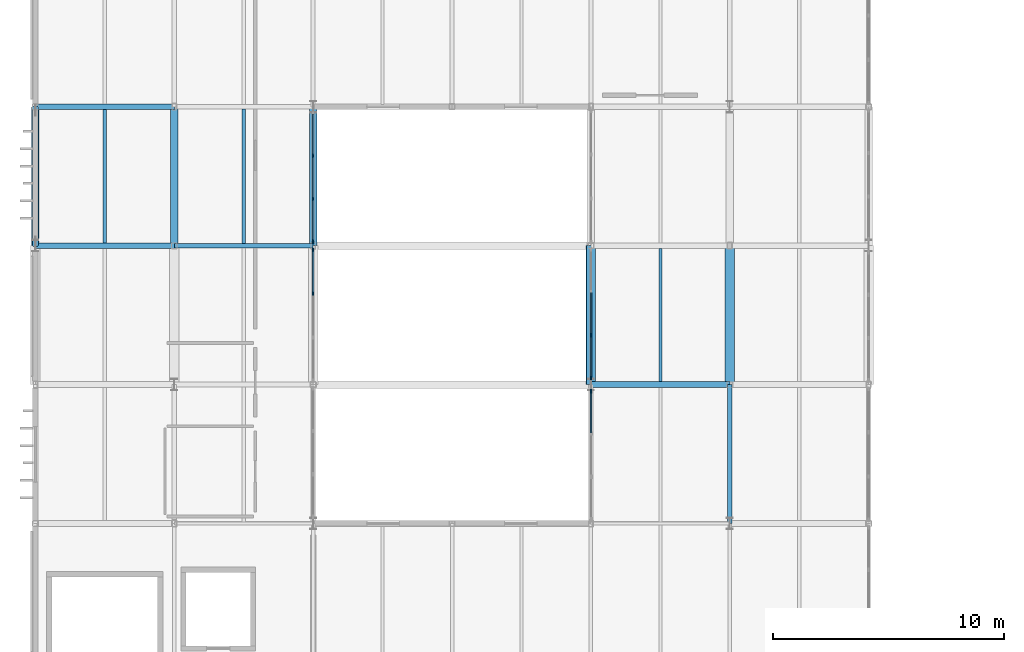
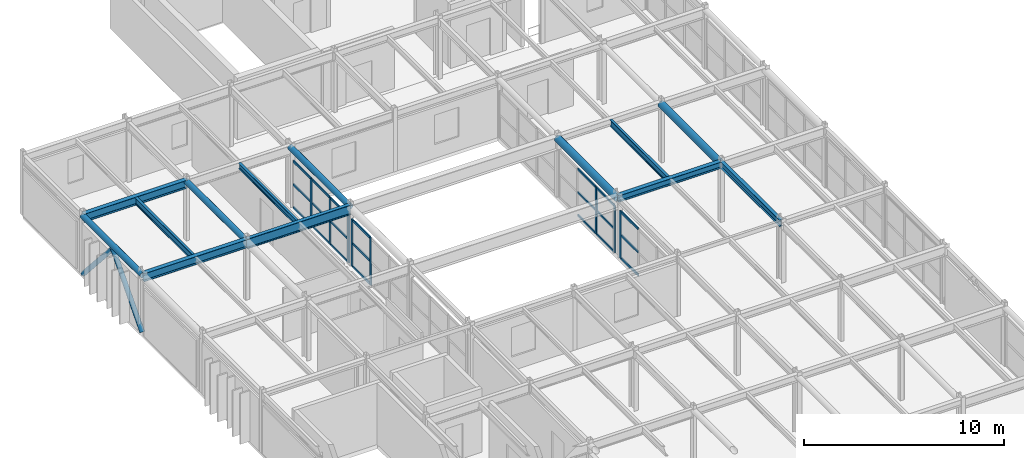
# One storey, part 12 of 63: 31 members, 13 beams, 4 elements without a shape of their own.
"""IFC4 building model written with IfcOpenShell, lengths in metres."""

from ifc_helpers import new_model, si_unit, direction, frame, origin, origin_2d, place, context, subcontext, project, spatial, rectangle, hollow_circle, i_section, extrude, material, material_profile, profile_set, type_object, element, aggregate, save


model = new_model("IFC4")

# Units and contexts
model_context = context("Model", 3, precision=1e-05, world=origin(), true_north=direction((0.0, 1.0)))
body_context = subcontext(model_context, "Body", "Model", "MODEL_VIEW")
ifc_project = project(units=[si_unit("LENGTHUNIT", "METRE"), si_unit("AREAUNIT", "SQUARE_METRE"), si_unit("VOLUMEUNIT", "CUBIC_METRE"), si_unit("PLANEANGLEUNIT", "RADIAN"), si_unit("MASSUNIT", "GRAM", prefix="KILO")], contexts=[model_context])

# Site, building, storey
site_placement = place(None, origin())
site = spatial("IfcSite", under=ifc_project, at=site_placement, CompositionType="ELEMENT")
building_placement = place(site_placement, origin())
building = spatial("IfcBuilding", under=site, at=building_placement, Name="Varnakota Square Police Headquarters", CompositionType="ELEMENT")
storey_placement = place(building_placement, frame((0.0, 0.0, 22.199951171875)))
storey = spatial("IfcBuildingStorey", under=building, at=storey_placement, Name="L05", CompositionType="ELEMENT", Elevation=22.199951171875)

# Beams
ifc_material_1 = material(Name="Steel IS 2062 Grade 350", Category="steel")
ifc_material_profile_1 = material_profile(ifc_material_1, hollow_circle(Radius=0.161865234375, WallThickness=0.0126953125, at=origin_2d()), Name="CHS 323.9x12.7")
ifc_profile_set_1 = profile_set([ifc_material_profile_1], Name="Steel IS 2062 Grade 350")
beam_type_1 = type_object("IfcBeamType", Name="BM-ARC-CHS324", PredefinedType="BEAM", material=ifc_profile_set_1)
for number, where, z_axis, x_axis, name in (
    (1, (6.0, 51.0, 3.528076171875), (0.0, 1.0, 0.0), (-1.0, 0.0, 0.0), "BMG-L05-3165"),
    (2, (12.0, 51.0, 3.528076171875), (0.0, 1.0, 0.0), (-1.0, 0.0, 0.0), "BMG-L05-3172"),
    (3, (18.0, 51.0, 3.528076171875), (0.0, 1.0, 0.0), (-1.0, 0.0, 0.0), "BMG-L05-3179"),
):
    element("IfcBeam", number, at=place(storey_placement, frame(where, z_axis=z_axis, x_axis=x_axis)), inside=storey, type_object=beam_type_1, Name=name, PredefinedType="BEAM", context=body_context, shape_type="SweptSolid", body=[
        extrude(hollow_circle(Radius=0.161865234375, WallThickness=0.0126953125, at=origin_2d()), origin(), (0.0, 0.0, 1.0), 6.0),
    ])
ifc_material_profile_2 = material_profile(ifc_material_1, hollow_circle(Radius=0.203125, WallThickness=0.01611328125, at=origin_2d()), Name="CHS 406.4x16.0")
ifc_profile_set_2 = profile_set([ifc_material_profile_2], Name="Steel IS 2062 Grade 350")
beam_type_2 = type_object("IfcBeamType", Name="BM-ARC-CHS406", PredefinedType="BEAM", material=ifc_profile_set_2)
for number, where, z_axis, x_axis, name in (
    (4, (30.0, 45.0, 3.48681640625), (0.0, 1.0, 0.0), (-1.0, 0.0, 0.0), "BMG-L05-3189"),
    (5, (36.0, 45.0, 3.48681640625), (0.0, 1.0, 0.0), (-1.0, 0.0, 0.0), "BMG-L05-3196"),
):
    element("IfcBeam", number, at=place(storey_placement, frame(where, z_axis=z_axis, x_axis=x_axis)), inside=storey, type_object=beam_type_2, Name=name, PredefinedType="BEAM", context=body_context, shape_type="SweptSolid", body=[
        extrude(hollow_circle(Radius=0.203125, WallThickness=0.01611328125, at=origin_2d()), origin(), (0.0, 0.0, 1.0), 6.0),
    ])
ifc_material_profile_3 = material_profile(ifc_material_1, i_section(OverallWidth=0.25, OverallDepth=0.39990234375, WebThickness=0.010498046875, FlangeThickness=0.0126953125, FilletRadius=0.013916015625, at=origin_2d()), Name="ISHB 400")
ifc_profile_set_3 = profile_set([ifc_material_profile_3], Name="Steel IS 2062 Grade 350")
beam_type_3 = type_object("IfcBeamType", Name="BM-ISHB400", PredefinedType="BEAM", material=ifc_profile_set_3)
beam_1_placement = place(storey_placement, frame((30.0, 45.0, 3.489990234375), z_axis=(1.0, 0.0, 0.0), x_axis=(0.0, 1.0, 0.0)))
element("IfcBeam", 6, at=beam_1_placement, inside=storey, type_object=beam_type_3, Name="BMG-L05-3138", PredefinedType="BEAM", context=body_context, shape_type="SweptSolid", body=[
    extrude(i_section(OverallWidth=0.25, OverallDepth=0.39990234375, WebThickness=0.010498046875, FlangeThickness=0.0126953125, FilletRadius=0.013916015625, at=origin_2d()), origin(), (0.0, 0.0, 1.0), 6.0),
])
ifc_material_profile_4 = material_profile(ifc_material_1, i_section(OverallWidth=0.139892578125, OverallDepth=0.35009765625, WebThickness=0.008056640625, FlangeThickness=0.01416015625, FilletRadius=0.013916015625, at=origin_2d()), Name="ISMB 350")
ifc_profile_set_4 = profile_set([ifc_material_profile_4], Name="Steel IS 2062 Grade 350")
beam_type_4 = type_object("IfcBeamType", Name="BM-ISMB350", PredefinedType="JOIST", material=ifc_profile_set_4)
beam_2_placement = place(storey_placement, frame((15.0, 51.10302734375, 3.51513671875), z_axis=(0.0, 1.0, 0.0), x_axis=(-1.0, 0.0, 0.0)))
element("IfcBeam", 7, at=beam_2_placement, inside=storey, type_object=beam_type_4, Name="BMG-L05-3255", PredefinedType="JOIST", context=body_context, shape_type="SweptSolid", body=[
    extrude(i_section(OverallWidth=0.139892578125, OverallDepth=0.35009765625, WebThickness=0.008056640625, FlangeThickness=0.01416015625, FilletRadius=0.013916015625, at=origin_2d()), origin(), (0.0, 0.0, 1.0), 5.7939453125),
])
ifc_material_profile_5 = material_profile(ifc_material_1, i_section(OverallWidth=0.139892578125, OverallDepth=0.39990234375, WebThickness=0.0087890625, FlangeThickness=0.01611328125, FilletRadius=0.013916015625, at=origin_2d()), Name="ISMB 400")
ifc_profile_set_5 = profile_set([ifc_material_profile_5], Name="Steel IS 2062 Grade 350")
beam_type_5 = type_object("IfcBeamType", Name="BM-ISMB400", PredefinedType="JOIST", material=ifc_profile_set_5)
for number, where, z_axis, x_axis, name in (
    (8, (9.0, 51.123046875, 3.489990234375), (0.0, 1.0, 0.0), (-1.0, 0.0, 0.0), "BMG-L05-3249"),
    (9, (33.0, 45.123046875, 3.489990234375), (0.0, 1.0, 0.0), (-1.0, 0.0, 0.0), "BMG-L05-3269"),
):
    element("IfcBeam", number, at=place(storey_placement, frame(where, z_axis=z_axis, x_axis=x_axis)), inside=storey, type_object=beam_type_5, Name=name, PredefinedType="JOIST", context=body_context, shape_type="SweptSolid", body=[
        extrude(i_section(OverallWidth=0.139892578125, OverallDepth=0.39990234375, WebThickness=0.0087890625, FlangeThickness=0.01611328125, FilletRadius=0.013916015625, at=origin_2d()), origin(), (0.0, 0.0, 1.0), 5.75390625),
    ])
ifc_material_profile_6 = material_profile(ifc_material_1, i_section(OverallWidth=0.2099609375, OverallDepth=0.60009765625, WebThickness=0.011962890625, FlangeThickness=0.020751953125, FilletRadius=0.02001953125, at=origin_2d()), Name="ISMB 600")
ifc_profile_set_6 = profile_set([ifc_material_profile_6], Name="Steel IS 2062 Grade 350")
beam_type_6 = type_object("IfcBeamType", Name="BM-ISMB600", PredefinedType="BEAM", material=ifc_profile_set_6)
beam_3_placement = place(storey_placement, frame((12.0, 51.0, 3.39013671875), z_axis=(1.0, 0.0, 0.0), x_axis=(0.0, 1.0, 0.0)))
element("IfcBeam", 10, at=beam_3_placement, inside=storey, type_object=beam_type_6, Name="BMG-L05-3144", PredefinedType="BEAM", context=body_context, shape_type="SweptSolid", body=[
    extrude(i_section(OverallWidth=0.2099609375, OverallDepth=0.60009765625, WebThickness=0.011962890625, FlangeThickness=0.020751953125, FilletRadius=0.02001953125, at=origin_2d()), origin(), (0.0, 0.0, 1.0), 6.0),
])
ifc_material_profile_7 = material_profile(ifc_material_1, i_section(OverallWidth=0.199951171875, OverallDepth=0.39990234375, WebThickness=0.008544921875, FlangeThickness=0.012939453125, FilletRadius=0.012939453125, at=origin_2d()), Name="ISWB 400")
ifc_profile_set_7 = profile_set([ifc_material_profile_7], Name="Steel IS 2062 Grade 350")
beam_type_7 = type_object("IfcBeamType", Name="BM-ISWB400", PredefinedType="BEAM", material=ifc_profile_set_7)
beam_4_placement = place(storey_placement, frame((36.0, 39.0, 3.489990234375), z_axis=(0.0, 1.0, 0.0), x_axis=(-1.0, 0.0, 0.0)))
element("IfcBeam", 11, at=beam_4_placement, inside=storey, type_object=beam_type_7, Name="BMG-L05-3195", PredefinedType="BEAM", context=body_context, shape_type="SweptSolid", body=[
    extrude(i_section(OverallWidth=0.199951171875, OverallDepth=0.39990234375, WebThickness=0.008544921875, FlangeThickness=0.012939453125, FilletRadius=0.012939453125, at=origin_2d()), origin(), (0.0, 0.0, 1.0), 6.0),
])
ifc_material_profile_8 = material_profile(ifc_material_1, i_section(OverallWidth=0.25, OverallDepth=0.5, WebThickness=0.010009765625, FlangeThickness=0.0146484375, FilletRadius=0.014892578125, at=origin_2d()), Name="ISWB 500")
ifc_profile_set_8 = profile_set([ifc_material_profile_8], Name="Steel IS 2062 Grade 350")
beam_type_8 = type_object("IfcBeamType", Name="BM-ISWB500", PredefinedType="BEAM", material=ifc_profile_set_8)
for number, where, z_axis, x_axis, name in (
    (12, (6.0, 51.0, 3.43994140625), (1.0, 0.0, 0.0), (0.0, 1.0, 0.0), "BMG-L05-3143"),
    (13, (6.0, 57.0, 3.43994140625), (1.0, 0.0, 0.0), (0.0, 1.0, 0.0), "BMG-L05-3148"),
):
    element("IfcBeam", number, at=place(storey_placement, frame(where, z_axis=z_axis, x_axis=x_axis)), inside=storey, type_object=beam_type_8, Name=name, PredefinedType="BEAM", context=body_context, shape_type="SweptSolid", body=[
        extrude(i_section(OverallWidth=0.25, OverallDepth=0.5, WebThickness=0.010009765625, FlangeThickness=0.0146484375, FilletRadius=0.014892578125, at=origin_2d()), origin(), (0.0, 0.0, 1.0), 6.0),
    ])

# Curtain wall, member
ifc_material_2 = material(Name="Anodised Aluminium Framing", Category="aluminium")
curtain_wall_type = type_object("IfcCurtainWallType", Name="CW-SYS-F", PredefinedType="NOTDEFINED", material=ifc_material_2)
curtain_wall_1_placement = place(storey_placement, origin())
curtain_wall_1 = element("IfcCurtainWall", 14, at=curtain_wall_1_placement, inside=storey, type_object=curtain_wall_type, Name="Unitised curtain wall CWG-L05-199", PredefinedType="NOTDEFINED")
ifc_material_3 = material(Name="Anodised Aluminium 6063-T6", Category="aluminium")
ifc_material_profile_9 = material_profile(ifc_material_3, rectangle(XDim=0.06494140625, YDim=0.159912109375, at=origin_2d()), Name="ALU MULLION 65x160")
ifc_profile_set_9 = profile_set([ifc_material_profile_9], Name="Anodised Aluminium 6063-T6")
member_type_1 = type_object("IfcMemberType", Name="CWM-150", PredefinedType="MULLION", material=ifc_profile_set_9)
member_1_placement = place(storey_placement, frame((30.0, 44.71240234375, 0.0), z_axis=(0.0, 0.0, 1.0), x_axis=(-1.0, 0.0, 0.0)))
member_1 = element("IfcMember", 15, at=member_1_placement, type_object=member_type_1, Name="CWG-L05-199 mullion 4", PredefinedType="MULLION", context=body_context, shape_type="SweptSolid", body=[
    extrude(rectangle(XDim=0.06494140625, YDim=0.159912109375, at=origin_2d()), origin(), (0.0, 0.0, 1.0), 2.880126953125),
])

# Curtain wall, members
curtain_wall_2_placement = place(storey_placement, origin())
curtain_wall_2 = element("IfcCurtainWall", 16, at=curtain_wall_2_placement, inside=storey, type_object=curtain_wall_type, Name="Unitised curtain wall CWG-L05-200", PredefinedType="NOTDEFINED")
member_2_placement = place(storey_placement, frame((18.0, 48.93994140625, 0.0), z_axis=(0.0, 0.0, 1.0), x_axis=(-1.0, 0.0, 0.0)))
member_2 = element("IfcMember", 17, at=member_2_placement, type_object=member_type_1, Name="CWG-L05-200 mullion 3", PredefinedType="MULLION", context=body_context, shape_type="SweptSolid", body=[
    extrude(rectangle(XDim=0.06494140625, YDim=0.159912109375, at=origin_2d()), origin(), (0.0, 0.0, 1.0), 2.880126953125),
])
member_3_placement = place(storey_placement, frame((18.0, 50.8125, 0.0), z_axis=(0.0, 0.0, 1.0), x_axis=(-1.0, 0.0, 0.0)))
member_3 = element("IfcMember", 18, at=member_3_placement, type_object=member_type_1, Name="CWG-L05-200 mullion 4", PredefinedType="MULLION", context=body_context, shape_type="SweptSolid", body=[
    extrude(rectangle(XDim=0.06494140625, YDim=0.159912109375, at=origin_2d()), origin(), (0.0, 0.0, 1.0), 2.880126953125),
])

curtain_wall_3_placement = place(storey_placement, origin())
curtain_wall_3 = element("IfcCurtainWall", 19, at=curtain_wall_3_placement, inside=storey, type_object=curtain_wall_type, Name="Unitised curtain wall CWG-L05-201", PredefinedType="NOTDEFINED")
member_4_placement = place(storey_placement, frame((30.0, 45.28759765625, 0.0), z_axis=(0.0, 0.0, 1.0), x_axis=(-1.0, 0.0, 0.0)))
member_4 = element("IfcMember", 20, at=member_4_placement, type_object=member_type_1, Name="CWG-L05-201 mullion 1", PredefinedType="MULLION", context=body_context, shape_type="SweptSolid", body=[
    extrude(rectangle(XDim=0.06494140625, YDim=0.159912109375, at=origin_2d()), origin(), (0.0, 0.0, 1.0), 2.880126953125),
])
member_5_placement = place(storey_placement, frame((30.0, 47.126708984375, 0.0), z_axis=(0.0, 0.0, 1.0), x_axis=(-1.0, 0.0, 0.0)))
member_5 = element("IfcMember", 21, at=member_5_placement, type_object=member_type_1, Name="CWG-L05-201 mullion 2", PredefinedType="MULLION", context=body_context, shape_type="SweptSolid", body=[
    extrude(rectangle(XDim=0.06494140625, YDim=0.159912109375, at=origin_2d()), origin(), (0.0, 0.0, 1.0), 2.880126953125),
])

curtain_wall_4_placement = place(storey_placement, origin())
curtain_wall_4 = element("IfcCurtainWall", 22, at=curtain_wall_4_placement, inside=storey, type_object=curtain_wall_type, Name="Unitised curtain wall CWG-L05-202", PredefinedType="NOTDEFINED")
member_6_placement = place(storey_placement, frame((18.0, 51.1875, 0.0), z_axis=(0.0, 0.0, 1.0), x_axis=(-1.0, 0.0, 0.0)))
member_6 = element("IfcMember", 23, at=member_6_placement, type_object=member_type_1, Name="CWG-L05-202 mullion 1", PredefinedType="MULLION", context=body_context, shape_type="SweptSolid", body=[
    extrude(rectangle(XDim=0.06494140625, YDim=0.159912109375, at=origin_2d()), origin(), (0.0, 0.0, 1.0), 2.880126953125),
])
member_7_placement = place(storey_placement, frame((18.0, 53.018310546875, 0.0), z_axis=(0.0, 0.0, 1.0), x_axis=(-1.0, 0.0, 0.0)))
member_7 = element("IfcMember", 24, at=member_7_placement, type_object=member_type_1, Name="CWG-L05-202 mullion 2", PredefinedType="MULLION", context=body_context, shape_type="SweptSolid", body=[
    extrude(rectangle(XDim=0.06494140625, YDim=0.159912109375, at=origin_2d()), origin(), (0.0, 0.0, 1.0), 2.880126953125),
])
member_8_placement = place(storey_placement, frame((18.0, 54.881591796875, 0.0), z_axis=(0.0, 0.0, 1.0), x_axis=(-1.0, 0.0, 0.0)))
member_8 = element("IfcMember", 25, at=member_8_placement, type_object=member_type_1, Name="CWG-L05-202 mullion 3", PredefinedType="MULLION", context=body_context, shape_type="SweptSolid", body=[
    extrude(rectangle(XDim=0.06494140625, YDim=0.159912109375, at=origin_2d()), origin(), (0.0, 0.0, 1.0), 2.880126953125),
])

# Member
ifc_material_profile_10 = material_profile(ifc_material_3, rectangle(XDim=0.06494140625, YDim=0.1298828125, at=origin_2d()), Name="ALU TRANSOM 65x130")
ifc_profile_set_10 = profile_set([ifc_material_profile_10], Name="Anodised Aluminium 6063-T6")
member_type_2 = type_object("IfcMemberType", Name="CWT-120", PredefinedType="USERDEFINED", material=ifc_profile_set_10)
member_9_placement = place(storey_placement, frame((30.0, 42.9140625, 0.032470703125), z_axis=(0.0, 1.0, 0.0), x_axis=(-1.0, 0.0, 0.0)))
member_9 = element("IfcMember", 26, at=member_9_placement, type_object=member_type_2, Name="CWG-L05-199 transom 3.1", ObjectType="TRANSOM", PredefinedType="USERDEFINED", context=body_context, shape_type="SweptSolid", body=[
    extrude(rectangle(XDim=0.06494140625, YDim=0.1298828125, at=origin_2d()), origin(), (0.0, 0.0, 1.0), 1.765869140625),
])

member_10_placement = place(storey_placement, frame((30.0, 42.9140625, 1.43994140625), z_axis=(0.0, 1.0, 0.0), x_axis=(-1.0, 0.0, 0.0)))
member_10 = element("IfcMember", 27, at=member_10_placement, type_object=member_type_2, Name="CWG-L05-199 transom 3.2", ObjectType="TRANSOM", PredefinedType="USERDEFINED", context=body_context, shape_type="SweptSolid", body=[
    extrude(rectangle(XDim=0.06494140625, YDim=0.1298828125, at=origin_2d()), origin(), (0.0, 0.0, 1.0), 1.765869140625),
])

member_11_placement = place(storey_placement, frame((30.0, 42.9140625, 2.84765625), z_axis=(0.0, 1.0, 0.0), x_axis=(-1.0, 0.0, 0.0)))
member_11 = element("IfcMember", 28, at=member_11_placement, type_object=member_type_2, Name="CWG-L05-199 transom 3.3", ObjectType="TRANSOM", PredefinedType="USERDEFINED", context=body_context, shape_type="SweptSolid", body=[
    extrude(rectangle(XDim=0.06494140625, YDim=0.1298828125, at=origin_2d()), origin(), (0.0, 0.0, 1.0), 1.765869140625),
])

aggregate(curtain_wall_1, [member_1, member_9, member_10, member_11])

member_12_placement = place(storey_placement, frame((18.0, 48.972412109375, 0.032470703125), z_axis=(0.0, 1.0, 0.0), x_axis=(-1.0, 0.0, 0.0)))
member_12 = element("IfcMember", 29, at=member_12_placement, type_object=member_type_2, Name="CWG-L05-200 transom 3.1", ObjectType="TRANSOM", PredefinedType="USERDEFINED", context=body_context, shape_type="SweptSolid", body=[
    extrude(rectangle(XDim=0.06494140625, YDim=0.1298828125, at=origin_2d()), origin(), (0.0, 0.0, 1.0), 1.8076171875),
])

member_13_placement = place(storey_placement, frame((18.0, 48.972412109375, 1.43994140625), z_axis=(0.0, 1.0, 0.0), x_axis=(-1.0, 0.0, 0.0)))
member_13 = element("IfcMember", 30, at=member_13_placement, type_object=member_type_2, Name="CWG-L05-200 transom 3.2", ObjectType="TRANSOM", PredefinedType="USERDEFINED", context=body_context, shape_type="SweptSolid", body=[
    extrude(rectangle(XDim=0.06494140625, YDim=0.1298828125, at=origin_2d()), origin(), (0.0, 0.0, 1.0), 1.8076171875),
])

member_14_placement = place(storey_placement, frame((18.0, 48.972412109375, 2.84765625), z_axis=(0.0, 1.0, 0.0), x_axis=(-1.0, 0.0, 0.0)))
member_14 = element("IfcMember", 31, at=member_14_placement, type_object=member_type_2, Name="CWG-L05-200 transom 3.3", ObjectType="TRANSOM", PredefinedType="USERDEFINED", context=body_context, shape_type="SweptSolid", body=[
    extrude(rectangle(XDim=0.06494140625, YDim=0.1298828125, at=origin_2d()), origin(), (0.0, 0.0, 1.0), 1.8076171875),
])

aggregate(curtain_wall_2, [member_2, member_3, member_12, member_13, member_14])

member_15_placement = place(storey_placement, frame((30.0, 45.320068359375, 0.032470703125), z_axis=(0.0, 1.0, 0.0), x_axis=(-1.0, 0.0, 0.0)))
member_15 = element("IfcMember", 32, at=member_15_placement, type_object=member_type_2, Name="CWG-L05-201 transom 1.1", ObjectType="TRANSOM", PredefinedType="USERDEFINED", context=body_context, shape_type="SweptSolid", body=[
    extrude(rectangle(XDim=0.06494140625, YDim=0.1298828125, at=origin_2d()), origin(), (0.0, 0.0, 1.0), 1.774169921875),
])

member_16_placement = place(storey_placement, frame((30.0, 45.320068359375, 1.43994140625), z_axis=(0.0, 1.0, 0.0), x_axis=(-1.0, 0.0, 0.0)))
member_16 = element("IfcMember", 33, at=member_16_placement, type_object=member_type_2, Name="CWG-L05-201 transom 1.2", ObjectType="TRANSOM", PredefinedType="USERDEFINED", context=body_context, shape_type="SweptSolid", body=[
    extrude(rectangle(XDim=0.06494140625, YDim=0.1298828125, at=origin_2d()), origin(), (0.0, 0.0, 1.0), 1.774169921875),
])

member_17_placement = place(storey_placement, frame((30.0, 45.320068359375, 2.84765625), z_axis=(0.0, 1.0, 0.0), x_axis=(-1.0, 0.0, 0.0)))
member_17 = element("IfcMember", 34, at=member_17_placement, type_object=member_type_2, Name="CWG-L05-201 transom 1.3", ObjectType="TRANSOM", PredefinedType="USERDEFINED", context=body_context, shape_type="SweptSolid", body=[
    extrude(rectangle(XDim=0.06494140625, YDim=0.1298828125, at=origin_2d()), origin(), (0.0, 0.0, 1.0), 1.774169921875),
])

member_18_placement = place(storey_placement, frame((30.0, 47.1591796875, 0.032470703125), z_axis=(0.0, 1.0, 0.0), x_axis=(-1.0, 0.0, 0.0)))
member_18 = element("IfcMember", 35, at=member_18_placement, type_object=member_type_2, Name="CWG-L05-201 transom 2.1", ObjectType="TRANSOM", PredefinedType="USERDEFINED", context=body_context, shape_type="SweptSolid", body=[
    extrude(rectangle(XDim=0.06494140625, YDim=0.1298828125, at=origin_2d()), origin(), (0.0, 0.0, 1.0), 1.806640625),
])

member_19_placement = place(storey_placement, frame((30.0, 47.1591796875, 1.43994140625), z_axis=(0.0, 1.0, 0.0), x_axis=(-1.0, 0.0, 0.0)))
member_19 = element("IfcMember", 36, at=member_19_placement, type_object=member_type_2, Name="CWG-L05-201 transom 2.2", ObjectType="TRANSOM", PredefinedType="USERDEFINED", context=body_context, shape_type="SweptSolid", body=[
    extrude(rectangle(XDim=0.06494140625, YDim=0.1298828125, at=origin_2d()), origin(), (0.0, 0.0, 1.0), 1.806640625),
])

member_20_placement = place(storey_placement, frame((30.0, 47.1591796875, 2.84765625), z_axis=(0.0, 1.0, 0.0), x_axis=(-1.0, 0.0, 0.0)))
member_20 = element("IfcMember", 37, at=member_20_placement, type_object=member_type_2, Name="CWG-L05-201 transom 2.3", ObjectType="TRANSOM", PredefinedType="USERDEFINED", context=body_context, shape_type="SweptSolid", body=[
    extrude(rectangle(XDim=0.06494140625, YDim=0.1298828125, at=origin_2d()), origin(), (0.0, 0.0, 1.0), 1.806640625),
])

aggregate(curtain_wall_3, [member_4, member_5, member_15, member_16, member_17, member_18, member_19, member_20])

member_21_placement = place(storey_placement, frame((18.0, 51.219970703125, 0.032470703125), z_axis=(0.0, 1.0, 0.0), x_axis=(-1.0, 0.0, 0.0)))
member_21 = element("IfcMember", 38, at=member_21_placement, type_object=member_type_2, Name="CWG-L05-202 transom 1.1", ObjectType="TRANSOM", PredefinedType="USERDEFINED", context=body_context, shape_type="SweptSolid", body=[
    extrude(rectangle(XDim=0.06494140625, YDim=0.1298828125, at=origin_2d()), origin(), (0.0, 0.0, 1.0), 1.765869140625),
])

member_22_placement = place(storey_placement, frame((18.0, 51.219970703125, 1.43994140625), z_axis=(0.0, 1.0, 0.0), x_axis=(-1.0, 0.0, 0.0)))
member_22 = element("IfcMember", 39, at=member_22_placement, type_object=member_type_2, Name="CWG-L05-202 transom 1.2", ObjectType="TRANSOM", PredefinedType="USERDEFINED", context=body_context, shape_type="SweptSolid", body=[
    extrude(rectangle(XDim=0.06494140625, YDim=0.1298828125, at=origin_2d()), origin(), (0.0, 0.0, 1.0), 1.765869140625),
])

member_23_placement = place(storey_placement, frame((18.0, 51.219970703125, 2.84765625), z_axis=(0.0, 1.0, 0.0), x_axis=(-1.0, 0.0, 0.0)))
member_23 = element("IfcMember", 40, at=member_23_placement, type_object=member_type_2, Name="CWG-L05-202 transom 1.3", ObjectType="TRANSOM", PredefinedType="USERDEFINED", context=body_context, shape_type="SweptSolid", body=[
    extrude(rectangle(XDim=0.06494140625, YDim=0.1298828125, at=origin_2d()), origin(), (0.0, 0.0, 1.0), 1.765869140625),
])

member_24_placement = place(storey_placement, frame((18.0, 53.05078125, 0.032470703125), z_axis=(0.0, 1.0, 0.0), x_axis=(-1.0, 0.0, 0.0)))
member_24 = element("IfcMember", 41, at=member_24_placement, type_object=member_type_2, Name="CWG-L05-202 transom 2.1", ObjectType="TRANSOM", PredefinedType="USERDEFINED", context=body_context, shape_type="SweptSolid", body=[
    extrude(rectangle(XDim=0.06494140625, YDim=0.1298828125, at=origin_2d()), origin(), (0.0, 0.0, 1.0), 1.79833984375),
])

member_25_placement = place(storey_placement, frame((18.0, 53.05078125, 1.43994140625), z_axis=(0.0, 1.0, 0.0), x_axis=(-1.0, 0.0, 0.0)))
member_25 = element("IfcMember", 42, at=member_25_placement, type_object=member_type_2, Name="CWG-L05-202 transom 2.2", ObjectType="TRANSOM", PredefinedType="USERDEFINED", context=body_context, shape_type="SweptSolid", body=[
    extrude(rectangle(XDim=0.06494140625, YDim=0.1298828125, at=origin_2d()), origin(), (0.0, 0.0, 1.0), 1.79833984375),
])

member_26_placement = place(storey_placement, frame((18.0, 53.05078125, 2.84765625), z_axis=(0.0, 1.0, 0.0), x_axis=(-1.0, 0.0, 0.0)))
member_26 = element("IfcMember", 43, at=member_26_placement, type_object=member_type_2, Name="CWG-L05-202 transom 2.3", ObjectType="TRANSOM", PredefinedType="USERDEFINED", context=body_context, shape_type="SweptSolid", body=[
    extrude(rectangle(XDim=0.06494140625, YDim=0.1298828125, at=origin_2d()), origin(), (0.0, 0.0, 1.0), 1.79833984375),
])

member_27_placement = place(storey_placement, frame((18.0, 54.9140625, 0.032470703125), z_axis=(0.0, 1.0, 0.0), x_axis=(-1.0, 0.0, 0.0)))
member_27 = element("IfcMember", 44, at=member_27_placement, type_object=member_type_2, Name="CWG-L05-202 transom 3.1", ObjectType="TRANSOM", PredefinedType="USERDEFINED", context=body_context, shape_type="SweptSolid", body=[
    extrude(rectangle(XDim=0.06494140625, YDim=0.1298828125, at=origin_2d()), origin(), (0.0, 0.0, 1.0), 1.765869140625),
])

member_28_placement = place(storey_placement, frame((18.0, 54.9140625, 1.43994140625), z_axis=(0.0, 1.0, 0.0), x_axis=(-1.0, 0.0, 0.0)))
member_28 = element("IfcMember", 45, at=member_28_placement, type_object=member_type_2, Name="CWG-L05-202 transom 3.2", ObjectType="TRANSOM", PredefinedType="USERDEFINED", context=body_context, shape_type="SweptSolid", body=[
    extrude(rectangle(XDim=0.06494140625, YDim=0.1298828125, at=origin_2d()), origin(), (0.0, 0.0, 1.0), 1.765869140625),
])

member_29_placement = place(storey_placement, frame((18.0, 54.9140625, 2.84765625), z_axis=(0.0, 1.0, 0.0), x_axis=(-1.0, 0.0, 0.0)))
member_29 = element("IfcMember", 46, at=member_29_placement, type_object=member_type_2, Name="CWG-L05-202 transom 3.3", ObjectType="TRANSOM", PredefinedType="USERDEFINED", context=body_context, shape_type="SweptSolid", body=[
    extrude(rectangle(XDim=0.06494140625, YDim=0.1298828125, at=origin_2d()), origin(), (0.0, 0.0, 1.0), 1.765869140625),
])

aggregate(curtain_wall_4, [member_6, member_7, member_8, member_21, member_22, member_23, member_24, member_25, member_26, member_27, member_28, member_29])

# Members
ifc_material_profile_11 = material_profile(ifc_material_1, hollow_circle(Radius=0.136474609375, WallThickness=0.010009765625, at=origin_2d()), Name="CHS 273.0x10.0")
ifc_profile_set_11 = profile_set([ifc_material_profile_11], Name="Steel IS 2062 Grade 350")
member_type_3 = type_object("IfcMemberType", Name="MEM-BR-CHS273", PredefinedType="BRACE", material=ifc_profile_set_11)
for number, where, z_axis, x_axis, name in (
    (47, (6.0, 51.050048828125, 0.02001953125), (0.0, 0.663092355777, 0.748537592717), (-1.0, 0.0, 0.0), "Lateral brace BF4 L05 left"),
    (48, (6.0, 56.949951171875, 0.02001953125), (0.0, -0.663092355777, 0.748537592717), (1.0, 0.0, 0.0), "Lateral brace BF4 L05 right"),
):
    element("IfcMember", number, at=place(storey_placement, frame(where, z_axis=z_axis, x_axis=x_axis)), inside=storey, type_object=member_type_3, Name=name, PredefinedType="BRACE", context=body_context, shape_type="SweptSolid", body=[
        extrude(hollow_circle(Radius=0.136474609375, WallThickness=0.010009765625, at=origin_2d()), origin(), (0.0, 0.0, 1.0), 4.44873046875),
    ])

save(model, "model.ifc")
